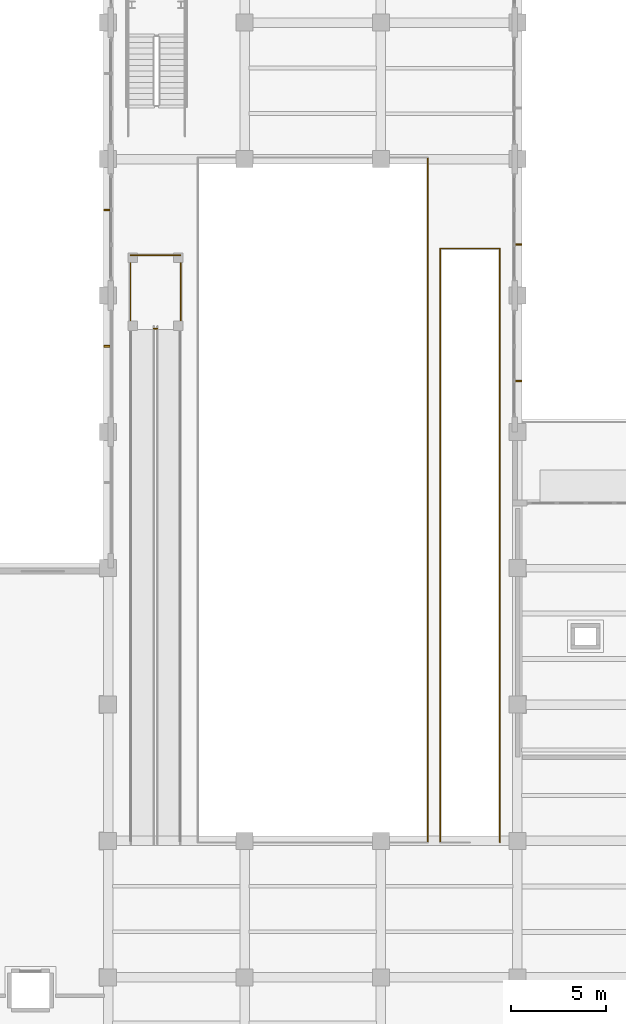
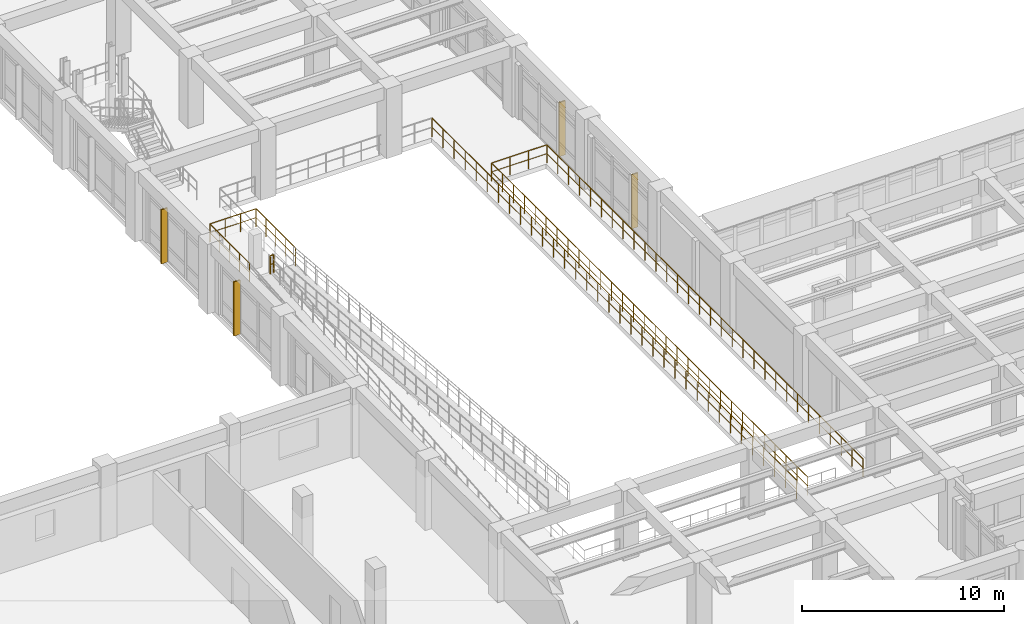
# One storey, part 60 of 69: 8 railings, 4 shading devices.
"""IFC4 building model written with IfcOpenShell, lengths in metres."""

from ifc_helpers import new_model, si_unit, direction, frame, origin, origin_2d, place, context, subcontext, project, spatial, rectangle, circle, extrude, material, material_profile, profile_set, type_object, element, save


model = new_model("IFC4")

# Units and contexts
model_context = context("Model", 3, precision=1e-05, world=origin(), true_north=direction((0.0, 1.0)))
body_context = subcontext(model_context, "Body", "Model", "MODEL_VIEW")
ifc_project = project(units=[si_unit("LENGTHUNIT", "METRE"), si_unit("AREAUNIT", "SQUARE_METRE"), si_unit("VOLUMEUNIT", "CUBIC_METRE"), si_unit("PLANEANGLEUNIT", "RADIAN"), si_unit("MASSUNIT", "GRAM", prefix="KILO")], contexts=[model_context])

# Site, building, storey
site_placement = place(None, origin())
site = spatial("IfcSite", under=ifc_project, at=site_placement, CompositionType="ELEMENT")
building_placement = place(site_placement, origin())
building = spatial("IfcBuilding", under=site, at=building_placement, Name="Solenvale Faculty of Natural Sciences", CompositionType="ELEMENT")
storey_placement = place(building_placement, frame((0.0, 0.0, 4.5)))
storey = spatial("IfcBuildingStorey", under=building, at=storey_placement, Name="L01", CompositionType="ELEMENT", Elevation=4.5)

# Railings
ifc_material_1 = material(Name="Stainless steel Grade 304", Category="steel")
railing_type_1 = type_object("IfcRailingType", Name="RL-GRD-1100", PredefinedType="GUARDRAIL", material=ifc_material_1)
railing_1_placement = place(storey_placement, frame((37.179931640625, 55.800048828125, 2.25)))
element("IfcRailing", 1, at=railing_1_placement, inside=storey, type_object=railing_type_1, Name="RMP-02 Landing Guardrail W", PredefinedType="GUARDRAIL", context=body_context, shape_type="SweptSolid", body=[
    extrude(circle(Radius=0.02392578125, at=origin_2d()), frame((0.0, 0.0, 1.09619140625), z_axis=(0.0, 1.0, 0.0), x_axis=(-1.0, 0.0, 0.0)), (0.0, 0.0, 1.0), 3.919921875),
    extrude(circle(Radius=0.01611328125, at=origin_2d()), frame((0.0, 0.0, 0.56005859375), z_axis=(0.0, 1.0, 0.0), x_axis=(-1.0, 0.0, 0.0)), (0.0, 0.0, 1.0), 3.919921875),
    extrude(circle(Radius=0.02099609375, at=origin_2d()), origin(), (0.0, 0.0, 1.0), 1.072021484375),
    extrude(circle(Radius=0.02099609375, at=origin_2d()), frame((0.0, 0.97998046875, 0.0)), (0.0, 0.0, 1.0), 1.072021484375),
    extrude(circle(Radius=0.02099609375, at=origin_2d()), frame((0.0, 1.9599609375, 0.0)), (0.0, 0.0, 1.0), 1.072021484375),
    extrude(circle(Radius=0.02099609375, at=origin_2d()), frame((0.0, 2.93994140625, 0.0)), (0.0, 0.0, 1.0), 1.072021484375),
    extrude(circle(Radius=0.02099609375, at=origin_2d()), frame((0.0, 3.919921875, 0.0)), (0.0, 0.0, 1.0), 1.072021484375),
])
railing_2_placement = place(storey_placement, frame((37.179931640625, 59.719970703125, 2.25)))
element("IfcRailing", 2, at=railing_2_placement, inside=storey, type_object=railing_type_1, Name="RMP-02 Landing Guardrail N", PredefinedType="GUARDRAIL", context=body_context, shape_type="SweptSolid", body=[
    extrude(circle(Radius=0.02392578125, at=origin_2d()), frame((0.0, 0.0, 1.09619140625), z_axis=(1.0, 0.0, 0.0), x_axis=(0.0, 1.0, 0.0)), (0.0, 0.0, 1.0), 2.64013671875),
    extrude(circle(Radius=0.01611328125, at=origin_2d()), frame((0.0, 0.0, 0.56005859375), z_axis=(1.0, 0.0, 0.0), x_axis=(0.0, 1.0, 0.0)), (0.0, 0.0, 1.0), 2.64013671875),
    extrude(circle(Radius=0.02099609375, at=origin_2d()), origin(), (0.0, 0.0, 1.0), 1.072021484375),
    extrude(circle(Radius=0.02099609375, at=origin_2d()), frame((0.880126953125, 0.0, 0.0)), (0.0, 0.0, 1.0), 1.072021484375),
    extrude(circle(Radius=0.02099609375, at=origin_2d()), frame((1.760009765625, 0.0, 0.0)), (0.0, 0.0, 1.0), 1.072021484375),
    extrude(circle(Radius=0.02099609375, at=origin_2d()), frame((2.64013671875, 0.0, 0.0)), (0.0, 0.0, 1.0), 1.072021484375),
])
railing_3_placement = place(storey_placement, frame((39.820068359375, 59.719970703125, 2.25)))
element("IfcRailing", 3, at=railing_3_placement, inside=storey, type_object=railing_type_1, Name="RMP-02 Landing Guardrail E", PredefinedType="GUARDRAIL", context=body_context, shape_type="SweptSolid", body=[
    extrude(circle(Radius=0.02392578125, at=origin_2d()), frame((0.0, 0.0, 1.09619140625), z_axis=(0.0, -1.0, 0.0), x_axis=(1.0, 0.0, 0.0)), (0.0, 0.0, 1.0), 3.919921875),
    extrude(circle(Radius=0.01611328125, at=origin_2d()), frame((0.0, 0.0, 0.56005859375), z_axis=(0.0, -1.0, 0.0), x_axis=(1.0, 0.0, 0.0)), (0.0, 0.0, 1.0), 3.919921875),
    extrude(circle(Radius=0.02099609375, at=origin_2d()), origin(), (0.0, 0.0, 1.0), 1.072021484375),
    extrude(circle(Radius=0.02099609375, at=origin_2d()), frame((0.0, -0.97998046875, 0.0)), (0.0, 0.0, 1.0), 1.072021484375),
    extrude(circle(Radius=0.02099609375, at=origin_2d()), frame((0.0, -1.9599609375, 0.0)), (0.0, 0.0, 1.0), 1.072021484375),
    extrude(circle(Radius=0.02099609375, at=origin_2d()), frame((0.0, -2.93994140625, 0.0)), (0.0, 0.0, 1.0), 1.072021484375),
    extrude(circle(Radius=0.02099609375, at=origin_2d()), frame((0.0, -3.919921875, 0.0)), (0.0, 0.0, 1.0), 1.072021484375),
])
railing_4_placement = place(storey_placement, frame((38.39990234375, 55.85009765625, 2.25)))
element("IfcRailing", 4, at=railing_4_placement, inside=storey, type_object=railing_type_1, Name="RMP-02 Landing Guardrail SLOT", PredefinedType="GUARDRAIL", context=body_context, shape_type="SweptSolid", body=[
    extrude(circle(Radius=0.02392578125, at=origin_2d()), frame((0.0, 0.0, 1.09619140625), z_axis=(1.0, 0.0, 0.0), x_axis=(0.0, 1.0, 0.0)), (0.0, 0.0, 1.0), 0.2001953125),
    extrude(circle(Radius=0.01611328125, at=origin_2d()), frame((0.0, 0.0, 0.56005859375), z_axis=(1.0, 0.0, 0.0), x_axis=(0.0, 1.0, 0.0)), (0.0, 0.0, 1.0), 0.2001953125),
    extrude(circle(Radius=0.02099609375, at=origin_2d()), origin(), (0.0, 0.0, 1.0), 1.072021484375),
    extrude(circle(Radius=0.02099609375, at=origin_2d()), frame((0.2001953125, 0.0, 0.0)), (0.0, 0.0, 1.0), 1.072021484375),
])
railing_5_placement = place(storey_placement, frame((53.52001953125, 28.719970703125, 0.0)))
element("IfcRailing", 5, at=railing_5_placement, inside=storey, type_object=railing_type_1, Name="L01 Ramp Opening Guardrail W", PredefinedType="GUARDRAIL", context=body_context, shape_type="SweptSolid", body=[
    extrude(circle(Radius=0.02392578125, at=origin_2d()), frame((0.0, 0.0, 1.09619140625), z_axis=(0.0, 1.0, 0.0), x_axis=(-1.0, 0.0, 0.0)), (0.0, 0.0, 1.0), 31.360107421875),
    extrude(circle(Radius=0.01611328125, at=origin_2d()), frame((0.0, 0.0, 0.56005859375), z_axis=(0.0, 1.0, 0.0), x_axis=(-1.0, 0.0, 0.0)), (0.0, 0.0, 1.0), 31.360107421875),
    extrude(circle(Radius=0.02099609375, at=origin_2d()), origin(), (0.0, 0.0, 1.0), 1.072021484375),
    extrude(circle(Radius=0.02099609375, at=origin_2d()), frame((0.0, 1.081298828125, 0.0)), (0.0, 0.0, 1.0), 1.072021484375),
    extrude(circle(Radius=0.02099609375, at=origin_2d()), frame((0.0, 2.162841796875, 0.0)), (0.0, 0.0, 1.0), 1.072021484375),
    extrude(circle(Radius=0.02099609375, at=origin_2d()), frame((0.0, 3.244140625, 0.0)), (0.0, 0.0, 1.0), 1.072021484375),
    extrude(circle(Radius=0.02099609375, at=origin_2d()), frame((0.0, 4.325439453125, 0.0)), (0.0, 0.0, 1.0), 1.072021484375),
    extrude(circle(Radius=0.02099609375, at=origin_2d()), frame((0.0, 5.406982421875, 0.0)), (0.0, 0.0, 1.0), 1.072021484375),
    extrude(circle(Radius=0.02099609375, at=origin_2d()), frame((0.0, 6.48828125, 0.0)), (0.0, 0.0, 1.0), 1.072021484375),
    extrude(circle(Radius=0.02099609375, at=origin_2d()), frame((0.0, 7.569580078125, 0.0)), (0.0, 0.0, 1.0), 1.072021484375),
    extrude(circle(Radius=0.02099609375, at=origin_2d()), frame((0.0, 8.651123046875, 0.0)), (0.0, 0.0, 1.0), 1.072021484375),
    extrude(circle(Radius=0.02099609375, at=origin_2d()), frame((0.0, 9.732421875, 0.0)), (0.0, 0.0, 1.0), 1.072021484375),
    extrude(circle(Radius=0.02099609375, at=origin_2d()), frame((0.0, 10.813720703125, 0.0)), (0.0, 0.0, 1.0), 1.072021484375),
    extrude(circle(Radius=0.02099609375, at=origin_2d()), frame((0.0, 11.895263671875, 0.0)), (0.0, 0.0, 1.0), 1.072021484375),
    extrude(circle(Radius=0.02099609375, at=origin_2d()), frame((0.0, 12.9765625, 0.0)), (0.0, 0.0, 1.0), 1.072021484375),
    extrude(circle(Radius=0.02099609375, at=origin_2d()), frame((0.0, 14.057861328125, 0.0)), (0.0, 0.0, 1.0), 1.072021484375),
    extrude(circle(Radius=0.02099609375, at=origin_2d()), frame((0.0, 15.139404296875, 0.0)), (0.0, 0.0, 1.0), 1.072021484375),
    extrude(circle(Radius=0.02099609375, at=origin_2d()), frame((0.0, 16.220703125, 0.0)), (0.0, 0.0, 1.0), 1.072021484375),
    extrude(circle(Radius=0.02099609375, at=origin_2d()), frame((0.0, 17.30224609375, 0.0)), (0.0, 0.0, 1.0), 1.072021484375),
    extrude(circle(Radius=0.02099609375, at=origin_2d()), frame((0.0, 18.383544921875, 0.0)), (0.0, 0.0, 1.0), 1.072021484375),
    extrude(circle(Radius=0.02099609375, at=origin_2d()), frame((0.0, 19.46484375, 0.0)), (0.0, 0.0, 1.0), 1.072021484375),
    extrude(circle(Radius=0.02099609375, at=origin_2d()), frame((0.0, 20.54638671875, 0.0)), (0.0, 0.0, 1.0), 1.072021484375),
    extrude(circle(Radius=0.02099609375, at=origin_2d()), frame((0.0, 21.627685546875, 0.0)), (0.0, 0.0, 1.0), 1.072021484375),
    extrude(circle(Radius=0.02099609375, at=origin_2d()), frame((0.0, 22.708984375, 0.0)), (0.0, 0.0, 1.0), 1.072021484375),
    extrude(circle(Radius=0.02099609375, at=origin_2d()), frame((0.0, 23.79052734375, 0.0)), (0.0, 0.0, 1.0), 1.072021484375),
    extrude(circle(Radius=0.02099609375, at=origin_2d()), frame((0.0, 24.871826171875, 0.0)), (0.0, 0.0, 1.0), 1.072021484375),
    extrude(circle(Radius=0.02099609375, at=origin_2d()), frame((0.0, 25.953125, 0.0)), (0.0, 0.0, 1.0), 1.072021484375),
    extrude(circle(Radius=0.02099609375, at=origin_2d()), frame((0.0, 27.03466796875, 0.0)), (0.0, 0.0, 1.0), 1.072021484375),
    extrude(circle(Radius=0.02099609375, at=origin_2d()), frame((0.0, 28.115966796875, 0.0)), (0.0, 0.0, 1.0), 1.072021484375),
    extrude(circle(Radius=0.02099609375, at=origin_2d()), frame((0.0, 29.197265625, 0.0)), (0.0, 0.0, 1.0), 1.072021484375),
    extrude(circle(Radius=0.02099609375, at=origin_2d()), frame((0.0, 30.27880859375, 0.0)), (0.0, 0.0, 1.0), 1.072021484375),
    extrude(circle(Radius=0.02099609375, at=origin_2d()), frame((0.0, 31.360107421875, 0.0)), (0.0, 0.0, 1.0), 1.072021484375),
])
railing_6_placement = place(storey_placement, frame((53.52001953125, 60.080078125, 0.0)))
element("IfcRailing", 6, at=railing_6_placement, inside=storey, type_object=railing_type_1, Name="L01 Ramp Opening Guardrail N", PredefinedType="GUARDRAIL", context=body_context, shape_type="SweptSolid", body=[
    extrude(circle(Radius=0.02392578125, at=origin_2d()), frame((0.0, 0.0, 1.09619140625), z_axis=(1.0, 0.0, 0.0), x_axis=(0.0, 1.0, 0.0)), (0.0, 0.0, 1.0), 3.159912109375),
    extrude(circle(Radius=0.01611328125, at=origin_2d()), frame((0.0, 0.0, 0.56005859375), z_axis=(1.0, 0.0, 0.0), x_axis=(0.0, 1.0, 0.0)), (0.0, 0.0, 1.0), 3.159912109375),
    extrude(circle(Radius=0.02099609375, at=origin_2d()), origin(), (0.0, 0.0, 1.0), 1.072021484375),
    extrude(circle(Radius=0.02099609375, at=origin_2d()), frame((1.05322265625, 0.0, 0.0)), (0.0, 0.0, 1.0), 1.072021484375),
    extrude(circle(Radius=0.02099609375, at=origin_2d()), frame((2.106689453125, 0.0, 0.0)), (0.0, 0.0, 1.0), 1.072021484375),
    extrude(circle(Radius=0.02099609375, at=origin_2d()), frame((3.159912109375, 0.0, 0.0)), (0.0, 0.0, 1.0), 1.072021484375),
])
railing_7_placement = place(storey_placement, frame((56.679931640625, 60.080078125, 0.0)))
element("IfcRailing", 7, at=railing_7_placement, inside=storey, type_object=railing_type_1, Name="L01 Ramp Opening Guardrail E", PredefinedType="GUARDRAIL", context=body_context, shape_type="SweptSolid", body=[
    extrude(circle(Radius=0.02392578125, at=origin_2d()), frame((0.0, 0.0, 1.09619140625), z_axis=(0.0, -1.0, 0.0), x_axis=(1.0, 0.0, 0.0)), (0.0, 0.0, 1.0), 31.360107421875),
    extrude(circle(Radius=0.01611328125, at=origin_2d()), frame((0.0, 0.0, 0.56005859375), z_axis=(0.0, -1.0, 0.0), x_axis=(1.0, 0.0, 0.0)), (0.0, 0.0, 1.0), 31.360107421875),
    extrude(circle(Radius=0.02099609375, at=origin_2d()), origin(), (0.0, 0.0, 1.0), 1.072021484375),
    extrude(circle(Radius=0.02099609375, at=origin_2d()), frame((0.0, -1.081298828125, 0.0)), (0.0, 0.0, 1.0), 1.072021484375),
    extrude(circle(Radius=0.02099609375, at=origin_2d()), frame((0.0, -2.162841796875, 0.0)), (0.0, 0.0, 1.0), 1.072021484375),
    extrude(circle(Radius=0.02099609375, at=origin_2d()), frame((0.0, -3.244140625, 0.0)), (0.0, 0.0, 1.0), 1.072021484375),
    extrude(circle(Radius=0.02099609375, at=origin_2d()), frame((0.0, -4.325439453125, 0.0)), (0.0, 0.0, 1.0), 1.072021484375),
    extrude(circle(Radius=0.02099609375, at=origin_2d()), frame((0.0, -5.406982421875, 0.0)), (0.0, 0.0, 1.0), 1.072021484375),
    extrude(circle(Radius=0.02099609375, at=origin_2d()), frame((0.0, -6.48828125, 0.0)), (0.0, 0.0, 1.0), 1.072021484375),
    extrude(circle(Radius=0.02099609375, at=origin_2d()), frame((0.0, -7.569580078125, 0.0)), (0.0, 0.0, 1.0), 1.072021484375),
    extrude(circle(Radius=0.02099609375, at=origin_2d()), frame((0.0, -8.651123046875, 0.0)), (0.0, 0.0, 1.0), 1.072021484375),
    extrude(circle(Radius=0.02099609375, at=origin_2d()), frame((0.0, -9.732421875, 0.0)), (0.0, 0.0, 1.0), 1.072021484375),
    extrude(circle(Radius=0.02099609375, at=origin_2d()), frame((0.0, -10.813720703125, 0.0)), (0.0, 0.0, 1.0), 1.072021484375),
    extrude(circle(Radius=0.02099609375, at=origin_2d()), frame((0.0, -11.895263671875, 0.0)), (0.0, 0.0, 1.0), 1.072021484375),
    extrude(circle(Radius=0.02099609375, at=origin_2d()), frame((0.0, -12.9765625, 0.0)), (0.0, 0.0, 1.0), 1.072021484375),
    extrude(circle(Radius=0.02099609375, at=origin_2d()), frame((0.0, -14.057861328125, 0.0)), (0.0, 0.0, 1.0), 1.072021484375),
    extrude(circle(Radius=0.02099609375, at=origin_2d()), frame((0.0, -15.139404296875, 0.0)), (0.0, 0.0, 1.0), 1.072021484375),
    extrude(circle(Radius=0.02099609375, at=origin_2d()), frame((0.0, -16.220703125, 0.0)), (0.0, 0.0, 1.0), 1.072021484375),
    extrude(circle(Radius=0.02099609375, at=origin_2d()), frame((0.0, -17.30224609375, 0.0)), (0.0, 0.0, 1.0), 1.072021484375),
    extrude(circle(Radius=0.02099609375, at=origin_2d()), frame((0.0, -18.383544921875, 0.0)), (0.0, 0.0, 1.0), 1.072021484375),
    extrude(circle(Radius=0.02099609375, at=origin_2d()), frame((0.0, -19.46484375, 0.0)), (0.0, 0.0, 1.0), 1.072021484375),
    extrude(circle(Radius=0.02099609375, at=origin_2d()), frame((0.0, -20.54638671875, 0.0)), (0.0, 0.0, 1.0), 1.072021484375),
    extrude(circle(Radius=0.02099609375, at=origin_2d()), frame((0.0, -21.627685546875, 0.0)), (0.0, 0.0, 1.0), 1.072021484375),
    extrude(circle(Radius=0.02099609375, at=origin_2d()), frame((0.0, -22.708984375, 0.0)), (0.0, 0.0, 1.0), 1.072021484375),
    extrude(circle(Radius=0.02099609375, at=origin_2d()), frame((0.0, -23.79052734375, 0.0)), (0.0, 0.0, 1.0), 1.072021484375),
    extrude(circle(Radius=0.02099609375, at=origin_2d()), frame((0.0, -24.871826171875, 0.0)), (0.0, 0.0, 1.0), 1.072021484375),
    extrude(circle(Radius=0.02099609375, at=origin_2d()), frame((0.0, -25.953125, 0.0)), (0.0, 0.0, 1.0), 1.072021484375),
    extrude(circle(Radius=0.02099609375, at=origin_2d()), frame((0.0, -27.03466796875, 0.0)), (0.0, 0.0, 1.0), 1.072021484375),
    extrude(circle(Radius=0.02099609375, at=origin_2d()), frame((0.0, -28.115966796875, 0.0)), (0.0, 0.0, 1.0), 1.072021484375),
    extrude(circle(Radius=0.02099609375, at=origin_2d()), frame((0.0, -29.197265625, 0.0)), (0.0, 0.0, 1.0), 1.072021484375),
    extrude(circle(Radius=0.02099609375, at=origin_2d()), frame((0.0, -30.27880859375, 0.0)), (0.0, 0.0, 1.0), 1.072021484375),
    extrude(circle(Radius=0.02099609375, at=origin_2d()), frame((0.0, -31.360107421875, 0.0)), (0.0, 0.0, 1.0), 1.072021484375),
])
railing_type_2 = type_object("IfcRailingType", Name="RL-GRD-ATR-1150", PredefinedType="GUARDRAIL", material=ifc_material_1)
railing_8_placement = place(storey_placement, frame((52.8798828125, 28.719970703125, 0.0)))
element("IfcRailing", 8, at=railing_8_placement, inside=storey, type_object=railing_type_2, Name="L01 Atrium Gallery Guardrail E", PredefinedType="GUARDRAIL", context=body_context, shape_type="SweptSolid", body=[
    extrude(circle(Radius=0.02392578125, at=origin_2d()), frame((0.0, 0.0, 1.1357421875), z_axis=(0.0, 1.0, 0.0), x_axis=(-1.0, 0.0, 0.0)), (0.0, 0.0, 1.0), 36.159912109375),
    extrude(circle(Radius=0.01611328125, at=origin_2d()), frame((0.0, 0.0, 0.580078125), z_axis=(0.0, 1.0, 0.0), x_axis=(-1.0, 0.0, 0.0)), (0.0, 0.0, 1.0), 36.159912109375),
    extrude(circle(Radius=0.02099609375, at=origin_2d()), origin(), (0.0, 0.0, 1.0), 1.11181640625),
    extrude(circle(Radius=0.02099609375, at=origin_2d()), frame((0.0, 1.095703125, 0.0)), (0.0, 0.0, 1.0), 1.11181640625),
    extrude(circle(Radius=0.02099609375, at=origin_2d()), frame((0.0, 2.19140625, 0.0)), (0.0, 0.0, 1.0), 1.11181640625),
    extrude(circle(Radius=0.02099609375, at=origin_2d()), frame((0.0, 3.287353515625, 0.0)), (0.0, 0.0, 1.0), 1.11181640625),
    extrude(circle(Radius=0.02099609375, at=origin_2d()), frame((0.0, 4.383056640625, 0.0)), (0.0, 0.0, 1.0), 1.11181640625),
    extrude(circle(Radius=0.02099609375, at=origin_2d()), frame((0.0, 5.478759765625, 0.0)), (0.0, 0.0, 1.0), 1.11181640625),
    extrude(circle(Radius=0.02099609375, at=origin_2d()), frame((0.0, 6.574462890625, 0.0)), (0.0, 0.0, 1.0), 1.11181640625),
    extrude(circle(Radius=0.02099609375, at=origin_2d()), frame((0.0, 7.670166015625, 0.0)), (0.0, 0.0, 1.0), 1.11181640625),
    extrude(circle(Radius=0.02099609375, at=origin_2d()), frame((0.0, 8.76611328125, 0.0)), (0.0, 0.0, 1.0), 1.11181640625),
    extrude(circle(Radius=0.02099609375, at=origin_2d()), frame((0.0, 9.86181640625, 0.0)), (0.0, 0.0, 1.0), 1.11181640625),
    extrude(circle(Radius=0.02099609375, at=origin_2d()), frame((0.0, 10.95751953125, 0.0)), (0.0, 0.0, 1.0), 1.11181640625),
    extrude(circle(Radius=0.02099609375, at=origin_2d()), frame((0.0, 12.05322265625, 0.0)), (0.0, 0.0, 1.0), 1.11181640625),
    extrude(circle(Radius=0.02099609375, at=origin_2d()), frame((0.0, 13.149169921875, 0.0)), (0.0, 0.0, 1.0), 1.11181640625),
    extrude(circle(Radius=0.02099609375, at=origin_2d()), frame((0.0, 14.244873046875, 0.0)), (0.0, 0.0, 1.0), 1.11181640625),
    extrude(circle(Radius=0.02099609375, at=origin_2d()), frame((0.0, 15.340576171875, 0.0)), (0.0, 0.0, 1.0), 1.11181640625),
    extrude(circle(Radius=0.02099609375, at=origin_2d()), frame((0.0, 16.436279296875, 0.0)), (0.0, 0.0, 1.0), 1.11181640625),
    extrude(circle(Radius=0.02099609375, at=origin_2d()), frame((0.0, 17.531982421875, 0.0)), (0.0, 0.0, 1.0), 1.11181640625),
    extrude(circle(Radius=0.02099609375, at=origin_2d()), frame((0.0, 18.6279296875, 0.0)), (0.0, 0.0, 1.0), 1.11181640625),
    extrude(circle(Radius=0.02099609375, at=origin_2d()), frame((0.0, 19.7236328125, 0.0)), (0.0, 0.0, 1.0), 1.11181640625),
    extrude(circle(Radius=0.02099609375, at=origin_2d()), frame((0.0, 20.8193359375, 0.0)), (0.0, 0.0, 1.0), 1.11181640625),
    extrude(circle(Radius=0.02099609375, at=origin_2d()), frame((0.0, 21.9150390625, 0.0)), (0.0, 0.0, 1.0), 1.11181640625),
    extrude(circle(Radius=0.02099609375, at=origin_2d()), frame((0.0, 23.0107421875, 0.0)), (0.0, 0.0, 1.0), 1.11181640625),
    extrude(circle(Radius=0.02099609375, at=origin_2d()), frame((0.0, 24.106689453125, 0.0)), (0.0, 0.0, 1.0), 1.11181640625),
    extrude(circle(Radius=0.02099609375, at=origin_2d()), frame((0.0, 25.202392578125, 0.0)), (0.0, 0.0, 1.0), 1.11181640625),
    extrude(circle(Radius=0.02099609375, at=origin_2d()), frame((0.0, 26.298095703125, 0.0)), (0.0, 0.0, 1.0), 1.11181640625),
    extrude(circle(Radius=0.02099609375, at=origin_2d()), frame((0.0, 27.393798828125, 0.0)), (0.0, 0.0, 1.0), 1.11181640625),
    extrude(circle(Radius=0.02099609375, at=origin_2d()), frame((0.0, 28.48974609375, 0.0)), (0.0, 0.0, 1.0), 1.11181640625),
    extrude(circle(Radius=0.02099609375, at=origin_2d()), frame((0.0, 29.58544921875, 0.0)), (0.0, 0.0, 1.0), 1.11181640625),
    extrude(circle(Radius=0.02099609375, at=origin_2d()), frame((0.0, 30.68115234375, 0.0)), (0.0, 0.0, 1.0), 1.11181640625),
    extrude(circle(Radius=0.02099609375, at=origin_2d()), frame((0.0, 31.77685546875, 0.0)), (0.0, 0.0, 1.0), 1.11181640625),
    extrude(circle(Radius=0.02099609375, at=origin_2d()), frame((0.0, 32.87255859375, 0.0)), (0.0, 0.0, 1.0), 1.11181640625),
    extrude(circle(Radius=0.02099609375, at=origin_2d()), frame((0.0, 33.968505859375, 0.0)), (0.0, 0.0, 1.0), 1.11181640625),
    extrude(circle(Radius=0.02099609375, at=origin_2d()), frame((0.0, 35.064208984375, 0.0)), (0.0, 0.0, 1.0), 1.11181640625),
    extrude(circle(Radius=0.02099609375, at=origin_2d()), frame((0.0, 36.159912109375, 0.0)), (0.0, 0.0, 1.0), 1.11181640625),
])

# Shading devices
ifc_material_2 = material(Name="Anodised bronze aluminium", Category="aluminium")
ifc_material_profile = material_profile(ifc_material_2, rectangle(XDim=0.080078125, YDim=0.360107421875, at=origin_2d()), Name="ALU-FIN-80x360")
ifc_profile_set = profile_set([ifc_material_profile], Name="Anodised bronze aluminium")
shading_device_type = type_object("IfcShadingDeviceType", Name="SHD-FIN-360", PredefinedType="JALOUSIE", material=ifc_profile_set)
for number, where, z_axis, x_axis, name in (
    (9, (57.659912109375, 53.083251953125, -0.02001953125), (0.0, 0.0, 1.0), (0.0, 1.0, 0.0), "L01 Vertical Brise-Soleil Fin 12.2"),
    (10, (57.659912109375, 60.283447265625, -0.02001953125), (0.0, 0.0, 1.0), (0.0, 1.0, 0.0), "L01 Vertical Brise-Soleil Fin 12.3"),
    (11, (35.93994140625, 62.11669921875, -0.02001953125), (0.0, 0.0, 1.0), (0.0, 1.0, 0.0), "L01 Vertical Brise-Soleil Fin 14.5"),
    (12, (35.93994140625, 54.916748046875, -0.02001953125), (0.0, 0.0, 1.0), (0.0, 1.0, 0.0), "L01 Vertical Brise-Soleil Fin 14.6"),
):
    element("IfcShadingDevice", number, at=place(storey_placement, frame(where, z_axis=z_axis, x_axis=x_axis)), inside=storey, type_object=shading_device_type, Name=name, PredefinedType="JALOUSIE", context=body_context, shape_type="SweptSolid", body=[
        extrude(rectangle(XDim=0.080078125, YDim=0.360107421875, at=origin_2d()), origin(), (0.0, 0.0, 1.0), 3.280029296875),
    ])

save(model, "model.ifc")
